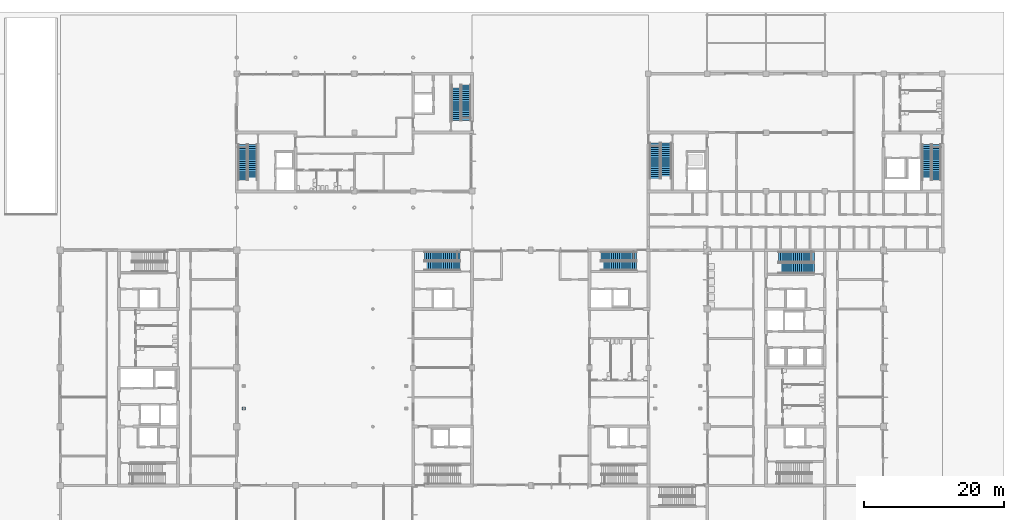
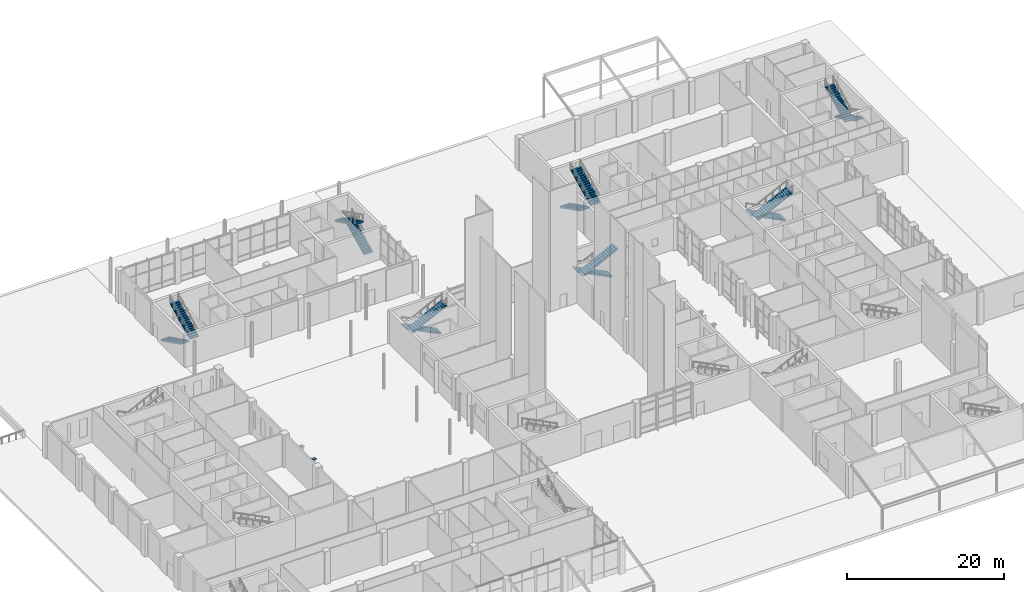
# One storey, part 53 of 76: 14 stair flights, 1 discrete accessory, 7 elements without a shape of their own.
"""IFC4 building model written with IfcOpenShell, lengths in metres."""

from ifc_helpers import new_model, si_unit, direction, frame, origin, origin_2d, place, context, subcontext, project, spatial, polyline, rectangle, outline, extrude, material, layer, layer_set, type_object, element, aggregate, save


model = new_model("IFC4")

# Units and contexts
model_context = context("Model", 3, precision=1e-05, world=origin(), true_north=direction((0.0, 1.0)))
body_context = subcontext(model_context, "Body", "Model", "MODEL_VIEW")
ifc_project = project(units=[si_unit("LENGTHUNIT", "METRE"), si_unit("AREAUNIT", "SQUARE_METRE"), si_unit("VOLUMEUNIT", "CUBIC_METRE"), si_unit("PLANEANGLEUNIT", "RADIAN"), si_unit("MASSUNIT", "GRAM", prefix="KILO")], contexts=[model_context])

# Site, building, storey
site_placement = place(None, origin())
site = spatial("IfcSite", under=ifc_project, at=site_placement, CompositionType="ELEMENT")
building_placement = place(site_placement, origin())
building = spatial("IfcBuilding", under=site, at=building_placement, Name="Hlaing Beacon Police Headquarters", CompositionType="ELEMENT")
storey_placement = place(building_placement, origin())
storey = spatial("IfcBuildingStorey", under=building, at=storey_placement, Name="L00", CompositionType="ELEMENT", Elevation=0.0)

# Stair, stair flights
ifc_material_1 = material(Name="Concrete C40/50", Category="concrete")
stair_type_1 = type_object("IfcStairType", Name="Half-turn stair 1300 wide, 5400 rise", PredefinedType="HALF_TURN_STAIR", material=ifc_material_1)
stair_1_placement = place(storey_placement, origin())
stair_1 = element("IfcStair", 1, at=stair_1_placement, inside=storey, type_object=stair_type_1, Name="Stair ST-B", PredefinedType="HALF_TURN_STAIR")
ifc_material_2 = material(Name="Concrete C40/50", Category="concrete")
stair_flight_type_1 = type_object("IfcStairFlightType", Name="Stair flight 1300 wide, 18 risers", PredefinedType="STRAIGHT", material=ifc_material_2)
stair_flight_1_placement = place(storey_placement, frame((65.5, 66.35009765625, 0.0), z_axis=(0.0, 0.0, 1.0), x_axis=(-1.0, 0.0, 0.0)))
stair_flight_1 = element("IfcStairFlight", 2, at=stair_flight_1_placement, type_object=stair_flight_type_1, Name="ST-B flight 1", NumberOfRisers=18, NumberOfTreads=17, PredefinedType="STRAIGHT", RiserHeight=0.15, TreadLength=0.3, context=body_context, shape_type="SweptSolid", body=[
    extrude(outline(polyline([(0.0, 0.0), (0.0, 0.14990234375), (0.300048828125, 0.14990234375), (0.300048828125, 0.300048828125), (0.60009765625, 0.300048828125), (0.60009765625, 0.449951171875), (0.89990234375, 0.449951171875), (0.89990234375, 0.60009765625), (1.199951171875, 0.60009765625), (1.199951171875, 0.75), (1.5, 0.75), (1.5, 0.89990234375), (1.800048828125, 0.89990234375), (1.800048828125, 1.050048828125), (2.10009765625, 1.050048828125), (2.10009765625, 1.199951171875), (2.39990234375, 1.199951171875), (2.39990234375, 1.35009765625), (2.699951171875, 1.35009765625), (2.699951171875, 1.5), (3.0, 1.5), (3.0, 1.64990234375), (3.300048828125, 1.64990234375), (3.300048828125, 1.800048828125), (3.60009765625, 1.800048828125), (3.60009765625, 1.949951171875), (3.89990234375, 1.949951171875), (3.89990234375, 2.10009765625), (4.199951171875, 2.10009765625), (4.199951171875, 2.25), (4.5, 2.25), (4.5, 2.39990234375), (4.800048828125, 2.39990234375), (4.800048828125, 2.550048828125), (5.10009765625, 2.550048828125), (5.10009765625, 2.699951171875), (5.10009765625, 2.38232421875), (0.335205078125, 0.0), (0.0, 0.0)])), frame((0.0, 0.64990234375, 0.0), z_axis=(0.0, -1.0, 0.0), x_axis=(1.0, 0.0, 0.0)), (0.0, 0.0, 1.0), 1.300048828125),
])
stair_flight_2_placement = place(storey_placement, frame((60.39990234375, 64.949951171875, 2.699951171875), z_axis=(0.0, 0.0, 1.0), x_axis=(1.0, 0.0, 0.0)))
stair_flight_2 = element("IfcStairFlight", 3, at=stair_flight_2_placement, type_object=stair_flight_type_1, Name="ST-B flight 2", NumberOfRisers=18, NumberOfTreads=17, PredefinedType="STRAIGHT", RiserHeight=0.15, TreadLength=0.3, context=body_context, shape_type="SweptSolid", body=[
    extrude(outline(polyline([(0.0, 0.0), (0.0, 0.14990234375), (0.300048828125, 0.14990234375), (0.300048828125, 0.300048828125), (0.60009765625, 0.300048828125), (0.60009765625, 0.449951171875), (0.89990234375, 0.449951171875), (0.89990234375, 0.60009765625), (1.199951171875, 0.60009765625), (1.199951171875, 0.75), (1.5, 0.75), (1.5, 0.89990234375), (1.800048828125, 0.89990234375), (1.800048828125, 1.050048828125), (2.10009765625, 1.050048828125), (2.10009765625, 1.199951171875), (2.39990234375, 1.199951171875), (2.39990234375, 1.35009765625), (2.699951171875, 1.35009765625), (2.699951171875, 1.5), (3.0, 1.5), (3.0, 1.64990234375), (3.300048828125, 1.64990234375), (3.300048828125, 1.800048828125), (3.60009765625, 1.800048828125), (3.60009765625, 1.949951171875), (3.89990234375, 1.949951171875), (3.89990234375, 2.10009765625), (4.199951171875, 2.10009765625), (4.199951171875, 2.25), (4.5, 2.25), (4.5, 2.39990234375), (4.800048828125, 2.39990234375), (4.800048828125, 2.550048828125), (5.10009765625, 2.550048828125), (5.10009765625, 2.699951171875), (5.10009765625, 2.38232421875), (0.335205078125, 0.0), (0.0, 0.0)])), frame((0.0, 0.64990234375, 0.0), z_axis=(0.0, -1.0, 0.0), x_axis=(1.0, 0.0, 0.0)), (0.0, 0.0, 1.0), 1.300048828125),
])
aggregate(stair_1, [stair_flight_1, stair_flight_2])

stair_2_placement = place(storey_placement, origin())
stair_2 = element("IfcStair", 4, at=stair_2_placement, inside=storey, type_object=stair_type_1, Name="Stair ST-D", PredefinedType="HALF_TURN_STAIR")
stair_flight_3_placement = place(storey_placement, frame((90.699951171875, 66.35009765625, 0.0), z_axis=(0.0, 0.0, 1.0), x_axis=(-1.0, 0.0, 0.0)))
stair_flight_3 = element("IfcStairFlight", 5, at=stair_flight_3_placement, type_object=stair_flight_type_1, Name="ST-D flight 1", NumberOfRisers=18, NumberOfTreads=17, PredefinedType="STRAIGHT", RiserHeight=0.15, TreadLength=0.3, context=body_context, shape_type="SweptSolid", body=[
    extrude(outline(polyline([(0.0, 0.0), (0.0, 0.14990234375), (0.300048828125, 0.14990234375), (0.300048828125, 0.300048828125), (0.60009765625, 0.300048828125), (0.60009765625, 0.449951171875), (0.89990234375, 0.449951171875), (0.89990234375, 0.60009765625), (1.199951171875, 0.60009765625), (1.199951171875, 0.75), (1.5, 0.75), (1.5, 0.89990234375), (1.800048828125, 0.89990234375), (1.800048828125, 1.050048828125), (2.10009765625, 1.050048828125), (2.10009765625, 1.199951171875), (2.39990234375, 1.199951171875), (2.39990234375, 1.35009765625), (2.699951171875, 1.35009765625), (2.699951171875, 1.5), (3.0, 1.5), (3.0, 1.64990234375), (3.300048828125, 1.64990234375), (3.300048828125, 1.800048828125), (3.60009765625, 1.800048828125), (3.60009765625, 1.949951171875), (3.89990234375, 1.949951171875), (3.89990234375, 2.10009765625), (4.199951171875, 2.10009765625), (4.199951171875, 2.25), (4.5, 2.25), (4.5, 2.39990234375), (4.800048828125, 2.39990234375), (4.800048828125, 2.550048828125), (5.10009765625, 2.550048828125), (5.10009765625, 2.699951171875), (5.10009765625, 2.38232421875), (0.335205078125, 0.0), (0.0, 0.0)])), frame((0.0, 0.64990234375, 0.0), z_axis=(0.0, -1.0, 0.0), x_axis=(1.0, 0.0, 0.0)), (0.0, 0.0, 1.0), 1.300048828125),
])
stair_flight_4_placement = place(storey_placement, frame((85.60009765625, 64.949951171875, 2.699951171875), z_axis=(0.0, 0.0, 1.0), x_axis=(1.0, 0.0, 0.0)))
stair_flight_4 = element("IfcStairFlight", 6, at=stair_flight_4_placement, type_object=stair_flight_type_1, Name="ST-D flight 2", NumberOfRisers=18, NumberOfTreads=17, PredefinedType="STRAIGHT", RiserHeight=0.15, TreadLength=0.3, context=body_context, shape_type="SweptSolid", body=[
    extrude(outline(polyline([(0.0, 0.0), (0.0, 0.14990234375), (0.300048828125, 0.14990234375), (0.300048828125, 0.300048828125), (0.60009765625, 0.300048828125), (0.60009765625, 0.449951171875), (0.89990234375, 0.449951171875), (0.89990234375, 0.60009765625), (1.199951171875, 0.60009765625), (1.199951171875, 0.75), (1.5, 0.75), (1.5, 0.89990234375), (1.800048828125, 0.89990234375), (1.800048828125, 1.050048828125), (2.10009765625, 1.050048828125), (2.10009765625, 1.199951171875), (2.39990234375, 1.199951171875), (2.39990234375, 1.35009765625), (2.699951171875, 1.35009765625), (2.699951171875, 1.5), (3.0, 1.5), (3.0, 1.64990234375), (3.300048828125, 1.64990234375), (3.300048828125, 1.800048828125), (3.60009765625, 1.800048828125), (3.60009765625, 1.949951171875), (3.89990234375, 1.949951171875), (3.89990234375, 2.10009765625), (4.199951171875, 2.10009765625), (4.199951171875, 2.25), (4.5, 2.25), (4.5, 2.39990234375), (4.800048828125, 2.39990234375), (4.800048828125, 2.550048828125), (5.10009765625, 2.550048828125), (5.10009765625, 2.699951171875), (5.10009765625, 2.38232421875), (0.335205078125, 0.0), (0.0, 0.0)])), frame((0.0, 0.64990234375, 0.0), z_axis=(0.0, -1.0, 0.0), x_axis=(1.0, 0.0, 0.0)), (0.0, 0.0, 1.0), 1.300048828125),
])
aggregate(stair_2, [stair_flight_3, stair_flight_4])

stair_3_placement = place(storey_placement, origin())
stair_3 = element("IfcStair", 7, at=stair_3_placement, inside=storey, type_object=stair_type_1, Name="Stair ST-E", PredefinedType="HALF_TURN_STAIR")
stair_flight_5_placement = place(storey_placement, frame((34.449951171875, 82.300048828125, 0.0), z_axis=(0.0, 0.0, 1.0), x_axis=(0.0, -1.0, 0.0)))
stair_flight_5 = element("IfcStairFlight", 8, at=stair_flight_5_placement, type_object=stair_flight_type_1, Name="ST-E flight 1", NumberOfRisers=18, NumberOfTreads=17, PredefinedType="STRAIGHT", RiserHeight=0.15, TreadLength=0.3, context=body_context, shape_type="SweptSolid", body=[
    extrude(outline(polyline([(0.0, 0.0), (0.0, 0.14990234375), (0.300048828125, 0.14990234375), (0.300048828125, 0.300048828125), (0.60009765625, 0.300048828125), (0.60009765625, 0.449951171875), (0.89990234375, 0.449951171875), (0.89990234375, 0.60009765625), (1.199951171875, 0.60009765625), (1.199951171875, 0.75), (1.5, 0.75), (1.5, 0.89990234375), (1.800048828125, 0.89990234375), (1.800048828125, 1.050048828125), (2.10009765625, 1.050048828125), (2.10009765625, 1.199951171875), (2.39990234375, 1.199951171875), (2.39990234375, 1.35009765625), (2.699951171875, 1.35009765625), (2.699951171875, 1.5), (3.0, 1.5), (3.0, 1.64990234375), (3.300048828125, 1.64990234375), (3.300048828125, 1.800048828125), (3.60009765625, 1.800048828125), (3.60009765625, 1.949951171875), (3.89990234375, 1.949951171875), (3.89990234375, 2.10009765625), (4.199951171875, 2.10009765625), (4.199951171875, 2.25), (4.5, 2.25), (4.5, 2.39990234375), (4.800048828125, 2.39990234375), (4.800048828125, 2.550048828125), (5.10009765625, 2.550048828125), (5.10009765625, 2.699951171875), (5.10009765625, 2.38232421875), (0.335205078125, 0.0), (0.0, 0.0)])), frame((0.0, 0.64990234375, 0.0), z_axis=(0.0, -1.0, 0.0), x_axis=(1.0, 0.0, 0.0)), (0.0, 0.0, 1.0), 1.300048828125),
])
stair_flight_6_placement = place(storey_placement, frame((35.85009765625, 77.199951171875, 2.699951171875), z_axis=(0.0, 0.0, 1.0), x_axis=(0.0, 1.0, 0.0)))
stair_flight_6 = element("IfcStairFlight", 9, at=stair_flight_6_placement, type_object=stair_flight_type_1, Name="ST-E flight 2", NumberOfRisers=18, NumberOfTreads=17, PredefinedType="STRAIGHT", RiserHeight=0.15, TreadLength=0.3, context=body_context, shape_type="SweptSolid", body=[
    extrude(outline(polyline([(0.0, 0.0), (0.0, 0.14990234375), (0.300048828125, 0.14990234375), (0.300048828125, 0.300048828125), (0.60009765625, 0.300048828125), (0.60009765625, 0.449951171875), (0.89990234375, 0.449951171875), (0.89990234375, 0.60009765625), (1.199951171875, 0.60009765625), (1.199951171875, 0.75), (1.5, 0.75), (1.5, 0.89990234375), (1.800048828125, 0.89990234375), (1.800048828125, 1.050048828125), (2.10009765625, 1.050048828125), (2.10009765625, 1.199951171875), (2.39990234375, 1.199951171875), (2.39990234375, 1.35009765625), (2.699951171875, 1.35009765625), (2.699951171875, 1.5), (3.0, 1.5), (3.0, 1.64990234375), (3.300048828125, 1.64990234375), (3.300048828125, 1.800048828125), (3.60009765625, 1.800048828125), (3.60009765625, 1.949951171875), (3.89990234375, 1.949951171875), (3.89990234375, 2.10009765625), (4.199951171875, 2.10009765625), (4.199951171875, 2.25), (4.5, 2.25), (4.5, 2.39990234375), (4.800048828125, 2.39990234375), (4.800048828125, 2.550048828125), (5.10009765625, 2.550048828125), (5.10009765625, 2.699951171875), (5.10009765625, 2.38232421875), (0.335205078125, 0.0), (0.0, 0.0)])), frame((0.0, 0.64990234375, 0.0), z_axis=(0.0, -1.0, 0.0), x_axis=(1.0, 0.0, 0.0)), (0.0, 0.0, 1.0), 1.300048828125),
])
aggregate(stair_3, [stair_flight_5, stair_flight_6])

stair_4_placement = place(storey_placement, origin())
stair_4 = element("IfcStair", 10, at=stair_4_placement, inside=storey, type_object=stair_type_1, Name="Stair ST-F", PredefinedType="HALF_TURN_STAIR")
stair_flight_7_placement = place(storey_placement, frame((66.35009765625, 85.699951171875, 0.0), z_axis=(0.0, 0.0, 1.0), x_axis=(0.0, 1.0, 0.0)))
stair_flight_7 = element("IfcStairFlight", 11, at=stair_flight_7_placement, type_object=stair_flight_type_1, Name="ST-F flight 1", NumberOfRisers=18, NumberOfTreads=17, PredefinedType="STRAIGHT", RiserHeight=0.15, TreadLength=0.3, context=body_context, shape_type="SweptSolid", body=[
    extrude(outline(polyline([(0.0, 0.0), (0.0, 0.14990234375), (0.300048828125, 0.14990234375), (0.300048828125, 0.300048828125), (0.60009765625, 0.300048828125), (0.60009765625, 0.449951171875), (0.89990234375, 0.449951171875), (0.89990234375, 0.60009765625), (1.199951171875, 0.60009765625), (1.199951171875, 0.75), (1.5, 0.75), (1.5, 0.89990234375), (1.800048828125, 0.89990234375), (1.800048828125, 1.050048828125), (2.10009765625, 1.050048828125), (2.10009765625, 1.199951171875), (2.39990234375, 1.199951171875), (2.39990234375, 1.35009765625), (2.699951171875, 1.35009765625), (2.699951171875, 1.5), (3.0, 1.5), (3.0, 1.64990234375), (3.300048828125, 1.64990234375), (3.300048828125, 1.800048828125), (3.60009765625, 1.800048828125), (3.60009765625, 1.949951171875), (3.89990234375, 1.949951171875), (3.89990234375, 2.10009765625), (4.199951171875, 2.10009765625), (4.199951171875, 2.25), (4.5, 2.25), (4.5, 2.39990234375), (4.800048828125, 2.39990234375), (4.800048828125, 2.550048828125), (5.10009765625, 2.550048828125), (5.10009765625, 2.699951171875), (5.10009765625, 2.38232421875), (0.335205078125, 0.0), (0.0, 0.0)])), frame((0.0, 0.64990234375, 0.0), z_axis=(0.0, -1.0, 0.0), x_axis=(1.0, 0.0, 0.0)), (0.0, 0.0, 1.0), 1.300048828125),
])
stair_flight_8_placement = place(storey_placement, frame((64.949951171875, 90.800048828125, 2.699951171875), z_axis=(0.0, 0.0, 1.0), x_axis=(0.0, -1.0, 0.0)))
stair_flight_8 = element("IfcStairFlight", 12, at=stair_flight_8_placement, type_object=stair_flight_type_1, Name="ST-F flight 2", NumberOfRisers=18, NumberOfTreads=17, PredefinedType="STRAIGHT", RiserHeight=0.15, TreadLength=0.3, context=body_context, shape_type="SweptSolid", body=[
    extrude(outline(polyline([(0.0, 0.0), (0.0, 0.14990234375), (0.300048828125, 0.14990234375), (0.300048828125, 0.300048828125), (0.60009765625, 0.300048828125), (0.60009765625, 0.449951171875), (0.89990234375, 0.449951171875), (0.89990234375, 0.60009765625), (1.199951171875, 0.60009765625), (1.199951171875, 0.75), (1.5, 0.75), (1.5, 0.89990234375), (1.800048828125, 0.89990234375), (1.800048828125, 1.050048828125), (2.10009765625, 1.050048828125), (2.10009765625, 1.199951171875), (2.39990234375, 1.199951171875), (2.39990234375, 1.35009765625), (2.699951171875, 1.35009765625), (2.699951171875, 1.5), (3.0, 1.5), (3.0, 1.64990234375), (3.300048828125, 1.64990234375), (3.300048828125, 1.800048828125), (3.60009765625, 1.800048828125), (3.60009765625, 1.949951171875), (3.89990234375, 1.949951171875), (3.89990234375, 2.10009765625), (4.199951171875, 2.10009765625), (4.199951171875, 2.25), (4.5, 2.25), (4.5, 2.39990234375), (4.800048828125, 2.39990234375), (4.800048828125, 2.550048828125), (5.10009765625, 2.550048828125), (5.10009765625, 2.699951171875), (5.10009765625, 2.38232421875), (0.335205078125, 0.0), (0.0, 0.0)])), frame((0.0, 0.64990234375, 0.0), z_axis=(0.0, -1.0, 0.0), x_axis=(1.0, 0.0, 0.0)), (0.0, 0.0, 1.0), 1.300048828125),
])
aggregate(stair_4, [stair_flight_7, stair_flight_8])

stair_5_placement = place(storey_placement, origin())
stair_5 = element("IfcStair", 13, at=stair_5_placement, inside=storey, type_object=stair_type_1, Name="Stair ST-R", PredefinedType="HALF_TURN_STAIR")
stair_flight_9_placement = place(storey_placement, frame((133.550048828125, 82.300048828125, 0.0), z_axis=(0.0, 0.0, 1.0), x_axis=(0.0, -1.0, 0.0)))
stair_flight_9 = element("IfcStairFlight", 14, at=stair_flight_9_placement, type_object=stair_flight_type_1, Name="ST-R flight 1", NumberOfRisers=18, NumberOfTreads=17, PredefinedType="STRAIGHT", RiserHeight=0.15, TreadLength=0.3, context=body_context, shape_type="SweptSolid", body=[
    extrude(outline(polyline([(0.0, 0.0), (0.0, 0.14990234375), (0.300048828125, 0.14990234375), (0.300048828125, 0.300048828125), (0.60009765625, 0.300048828125), (0.60009765625, 0.449951171875), (0.89990234375, 0.449951171875), (0.89990234375, 0.60009765625), (1.199951171875, 0.60009765625), (1.199951171875, 0.75), (1.5, 0.75), (1.5, 0.89990234375), (1.800048828125, 0.89990234375), (1.800048828125, 1.050048828125), (2.10009765625, 1.050048828125), (2.10009765625, 1.199951171875), (2.39990234375, 1.199951171875), (2.39990234375, 1.35009765625), (2.699951171875, 1.35009765625), (2.699951171875, 1.5), (3.0, 1.5), (3.0, 1.64990234375), (3.300048828125, 1.64990234375), (3.300048828125, 1.800048828125), (3.60009765625, 1.800048828125), (3.60009765625, 1.949951171875), (3.89990234375, 1.949951171875), (3.89990234375, 2.10009765625), (4.199951171875, 2.10009765625), (4.199951171875, 2.25), (4.5, 2.25), (4.5, 2.39990234375), (4.800048828125, 2.39990234375), (4.800048828125, 2.550048828125), (5.10009765625, 2.550048828125), (5.10009765625, 2.699951171875), (5.10009765625, 2.38232421875), (0.335205078125, 0.0), (0.0, 0.0)])), frame((0.0, 0.64990234375, 0.0), z_axis=(0.0, -1.0, 0.0), x_axis=(1.0, 0.0, 0.0)), (0.0, 0.0, 1.0), 1.300048828125),
])
stair_flight_10_placement = place(storey_placement, frame((132.14990234375, 77.199951171875, 2.699951171875), z_axis=(0.0, 0.0, 1.0), x_axis=(0.0, 1.0, 0.0)))
stair_flight_10 = element("IfcStairFlight", 15, at=stair_flight_10_placement, type_object=stair_flight_type_1, Name="ST-R flight 2", NumberOfRisers=18, NumberOfTreads=17, PredefinedType="STRAIGHT", RiserHeight=0.15, TreadLength=0.3, context=body_context, shape_type="SweptSolid", body=[
    extrude(outline(polyline([(0.0, 0.0), (0.0, 0.14990234375), (0.300048828125, 0.14990234375), (0.300048828125, 0.300048828125), (0.60009765625, 0.300048828125), (0.60009765625, 0.449951171875), (0.89990234375, 0.449951171875), (0.89990234375, 0.60009765625), (1.199951171875, 0.60009765625), (1.199951171875, 0.75), (1.5, 0.75), (1.5, 0.89990234375), (1.800048828125, 0.89990234375), (1.800048828125, 1.050048828125), (2.10009765625, 1.050048828125), (2.10009765625, 1.199951171875), (2.39990234375, 1.199951171875), (2.39990234375, 1.35009765625), (2.699951171875, 1.35009765625), (2.699951171875, 1.5), (3.0, 1.5), (3.0, 1.64990234375), (3.300048828125, 1.64990234375), (3.300048828125, 1.800048828125), (3.60009765625, 1.800048828125), (3.60009765625, 1.949951171875), (3.89990234375, 1.949951171875), (3.89990234375, 2.10009765625), (4.199951171875, 2.10009765625), (4.199951171875, 2.25), (4.5, 2.25), (4.5, 2.39990234375), (4.800048828125, 2.39990234375), (4.800048828125, 2.550048828125), (5.10009765625, 2.550048828125), (5.10009765625, 2.699951171875), (5.10009765625, 2.38232421875), (0.335205078125, 0.0), (0.0, 0.0)])), frame((0.0, 0.64990234375, 0.0), z_axis=(0.0, -1.0, 0.0), x_axis=(1.0, 0.0, 0.0)), (0.0, 0.0, 1.0), 1.300048828125),
])
aggregate(stair_5, [stair_flight_9, stair_flight_10])

ifc_material_3 = material(Name="Concrete C40/50", Category="concrete")
stair_type_2 = type_object("IfcStairType", Name="Half-turn stair 1500 wide, 5400 rise", PredefinedType="HALF_TURN_STAIR", material=ifc_material_3)
stair_6_placement = place(storey_placement, origin())
stair_6 = element("IfcStair", 16, at=stair_6_placement, inside=storey, type_object=stair_type_2, Name="Stair ST-M", PredefinedType="HALF_TURN_STAIR")
ifc_material_4 = material(Name="Concrete C40/50", Category="concrete")
stair_flight_type_2 = type_object("IfcStairFlightType", Name="Stair flight 1500 wide, 18 risers", PredefinedType="STRAIGHT", material=ifc_material_4)
stair_flight_11_placement = place(storey_placement, frame((116.10009765625, 66.25, 0.0), z_axis=(0.0, 0.0, 1.0), x_axis=(-1.0, 0.0, 0.0)))
stair_flight_11 = element("IfcStairFlight", 17, at=stair_flight_11_placement, type_object=stair_flight_type_2, Name="ST-M flight 1", NumberOfRisers=18, NumberOfTreads=17, PredefinedType="STRAIGHT", RiserHeight=0.15, TreadLength=0.3, context=body_context, shape_type="SweptSolid", body=[
    extrude(outline(polyline([(0.0, 0.0), (0.0, 0.14990234375), (0.300048828125, 0.14990234375), (0.300048828125, 0.300048828125), (0.60009765625, 0.300048828125), (0.60009765625, 0.449951171875), (0.89990234375, 0.449951171875), (0.89990234375, 0.60009765625), (1.199951171875, 0.60009765625), (1.199951171875, 0.75), (1.5, 0.75), (1.5, 0.89990234375), (1.800048828125, 0.89990234375), (1.800048828125, 1.050048828125), (2.10009765625, 1.050048828125), (2.10009765625, 1.199951171875), (2.39990234375, 1.199951171875), (2.39990234375, 1.35009765625), (2.699951171875, 1.35009765625), (2.699951171875, 1.5), (3.0, 1.5), (3.0, 1.64990234375), (3.300048828125, 1.64990234375), (3.300048828125, 1.800048828125), (3.60009765625, 1.800048828125), (3.60009765625, 1.949951171875), (3.89990234375, 1.949951171875), (3.89990234375, 2.10009765625), (4.199951171875, 2.10009765625), (4.199951171875, 2.25), (4.5, 2.25), (4.5, 2.39990234375), (4.800048828125, 2.39990234375), (4.800048828125, 2.550048828125), (5.10009765625, 2.550048828125), (5.10009765625, 2.699951171875), (5.10009765625, 2.38232421875), (0.335205078125, 0.0), (0.0, 0.0)])), frame((0.0, 0.75, 0.0), z_axis=(0.0, -1.0, 0.0), x_axis=(1.0, 0.0, 0.0)), (0.0, 0.0, 1.0), 1.5),
])
stair_flight_12_placement = place(storey_placement, frame((111.0, 64.64990234375, 2.699951171875), z_axis=(0.0, 0.0, 1.0), x_axis=(1.0, 0.0, 0.0)))
stair_flight_12 = element("IfcStairFlight", 18, at=stair_flight_12_placement, type_object=stair_flight_type_2, Name="ST-M flight 2", NumberOfRisers=18, NumberOfTreads=17, PredefinedType="STRAIGHT", RiserHeight=0.15, TreadLength=0.3, context=body_context, shape_type="SweptSolid", body=[
    extrude(outline(polyline([(0.0, 0.0), (0.0, 0.14990234375), (0.300048828125, 0.14990234375), (0.300048828125, 0.300048828125), (0.60009765625, 0.300048828125), (0.60009765625, 0.449951171875), (0.89990234375, 0.449951171875), (0.89990234375, 0.60009765625), (1.199951171875, 0.60009765625), (1.199951171875, 0.75), (1.5, 0.75), (1.5, 0.89990234375), (1.800048828125, 0.89990234375), (1.800048828125, 1.050048828125), (2.10009765625, 1.050048828125), (2.10009765625, 1.199951171875), (2.39990234375, 1.199951171875), (2.39990234375, 1.35009765625), (2.699951171875, 1.35009765625), (2.699951171875, 1.5), (3.0, 1.5), (3.0, 1.64990234375), (3.300048828125, 1.64990234375), (3.300048828125, 1.800048828125), (3.60009765625, 1.800048828125), (3.60009765625, 1.949951171875), (3.89990234375, 1.949951171875), (3.89990234375, 2.10009765625), (4.199951171875, 2.10009765625), (4.199951171875, 2.25), (4.5, 2.25), (4.5, 2.39990234375), (4.800048828125, 2.39990234375), (4.800048828125, 2.550048828125), (5.10009765625, 2.550048828125), (5.10009765625, 2.699951171875), (5.10009765625, 2.38232421875), (0.335205078125, 0.0), (0.0, 0.0)])), frame((0.0, 0.75, 0.0), z_axis=(0.0, -1.0, 0.0), x_axis=(1.0, 0.0, 0.0)), (0.0, 0.0, 1.0), 1.5),
])
aggregate(stair_6, [stair_flight_11, stair_flight_12])

stair_7_placement = place(storey_placement, origin())
stair_7 = element("IfcStair", 19, at=stair_7_placement, inside=storey, type_object=stair_type_2, Name="Stair ST-Q", PredefinedType="HALF_TURN_STAIR")
stair_flight_13_placement = place(storey_placement, frame((93.35009765625, 82.5, 0.0), z_axis=(0.0, 0.0, 1.0), x_axis=(0.0, -1.0, 0.0)))
stair_flight_13 = element("IfcStairFlight", 20, at=stair_flight_13_placement, type_object=stair_flight_type_2, Name="ST-Q flight 1", NumberOfRisers=18, NumberOfTreads=17, PredefinedType="STRAIGHT", RiserHeight=0.15, TreadLength=0.3, context=body_context, shape_type="SweptSolid", body=[
    extrude(outline(polyline([(0.0, 0.0), (0.0, 0.14990234375), (0.300048828125, 0.14990234375), (0.300048828125, 0.300048828125), (0.60009765625, 0.300048828125), (0.60009765625, 0.449951171875), (0.89990234375, 0.449951171875), (0.89990234375, 0.60009765625), (1.199951171875, 0.60009765625), (1.199951171875, 0.75), (1.5, 0.75), (1.5, 0.89990234375), (1.800048828125, 0.89990234375), (1.800048828125, 1.050048828125), (2.10009765625, 1.050048828125), (2.10009765625, 1.199951171875), (2.39990234375, 1.199951171875), (2.39990234375, 1.35009765625), (2.699951171875, 1.35009765625), (2.699951171875, 1.5), (3.0, 1.5), (3.0, 1.64990234375), (3.300048828125, 1.64990234375), (3.300048828125, 1.800048828125), (3.60009765625, 1.800048828125), (3.60009765625, 1.949951171875), (3.89990234375, 1.949951171875), (3.89990234375, 2.10009765625), (4.199951171875, 2.10009765625), (4.199951171875, 2.25), (4.5, 2.25), (4.5, 2.39990234375), (4.800048828125, 2.39990234375), (4.800048828125, 2.550048828125), (5.10009765625, 2.550048828125), (5.10009765625, 2.699951171875), (5.10009765625, 2.38232421875), (0.335205078125, 0.0), (0.0, 0.0)])), frame((0.0, 0.75, 0.0), z_axis=(0.0, -1.0, 0.0), x_axis=(1.0, 0.0, 0.0)), (0.0, 0.0, 1.0), 1.5),
])
stair_flight_14_placement = place(storey_placement, frame((94.949951171875, 77.39990234375, 2.699951171875), z_axis=(0.0, 0.0, 1.0), x_axis=(0.0, 1.0, 0.0)))
stair_flight_14 = element("IfcStairFlight", 21, at=stair_flight_14_placement, type_object=stair_flight_type_2, Name="ST-Q flight 2", NumberOfRisers=18, NumberOfTreads=17, PredefinedType="STRAIGHT", RiserHeight=0.15, TreadLength=0.3, context=body_context, shape_type="SweptSolid", body=[
    extrude(outline(polyline([(0.0, 0.0), (0.0, 0.14990234375), (0.300048828125, 0.14990234375), (0.300048828125, 0.300048828125), (0.60009765625, 0.300048828125), (0.60009765625, 0.449951171875), (0.89990234375, 0.449951171875), (0.89990234375, 0.60009765625), (1.199951171875, 0.60009765625), (1.199951171875, 0.75), (1.5, 0.75), (1.5, 0.89990234375), (1.800048828125, 0.89990234375), (1.800048828125, 1.050048828125), (2.10009765625, 1.050048828125), (2.10009765625, 1.199951171875), (2.39990234375, 1.199951171875), (2.39990234375, 1.35009765625), (2.699951171875, 1.35009765625), (2.699951171875, 1.5), (3.0, 1.5), (3.0, 1.64990234375), (3.300048828125, 1.64990234375), (3.300048828125, 1.800048828125), (3.60009765625, 1.800048828125), (3.60009765625, 1.949951171875), (3.89990234375, 1.949951171875), (3.89990234375, 2.10009765625), (4.199951171875, 2.10009765625), (4.199951171875, 2.25), (4.5, 2.25), (4.5, 2.39990234375), (4.800048828125, 2.39990234375), (4.800048828125, 2.550048828125), (5.10009765625, 2.550048828125), (5.10009765625, 2.699951171875), (5.10009765625, 2.38232421875), (0.335205078125, 0.0), (0.0, 0.0)])), frame((0.0, 0.75, 0.0), z_axis=(0.0, -1.0, 0.0), x_axis=(1.0, 0.0, 0.0)), (0.0, 0.0, 1.0), 1.5),
])
aggregate(stair_7, [stair_flight_13, stair_flight_14])

# Discrete accessory
ifc_material_5 = material(Name="Steel ASTM A572 Grade 50", Category="steel")
ifc_layer = layer(ifc_material_5, 0.010009765625)
ifc_layer_set = layer_set([ifc_layer], Name="Steel ASTM A572 Grade 50")
discrete_accessory_type = type_object("IfcDiscreteAccessoryType", Name="Bridge seat plate 500x450x10", PredefinedType="BRACKET", material=ifc_layer_set)
discrete_accessory_placement = place(storey_placement, frame((34.60009765625, 44.60009765625, 4.162109375), z_axis=(0.0, 0.0, 1.0), x_axis=(1.0, 0.0, 0.0)))
element("IfcDiscreteAccessory", 22, at=discrete_accessory_placement, inside=storey, type_object=discrete_accessory_type, Name="Bridge seat plate BR1 pier 1", PredefinedType="BRACKET", context=body_context, shape_type="SweptSolid", body=[
    extrude(rectangle(XDim=0.5, YDim=0.449951171875, at=origin_2d()), origin(), (0.0, 0.0, 1.0), 0.010009765625),
])

save(model, "model.ifc")
